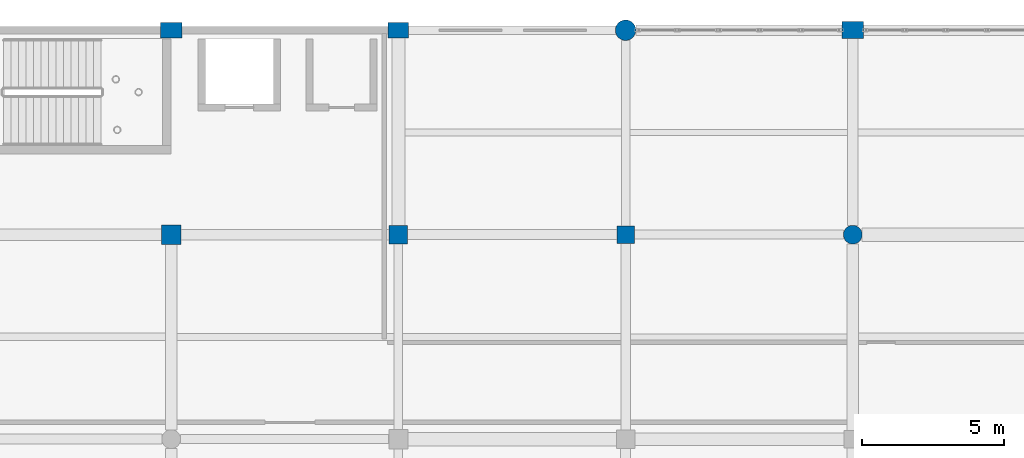
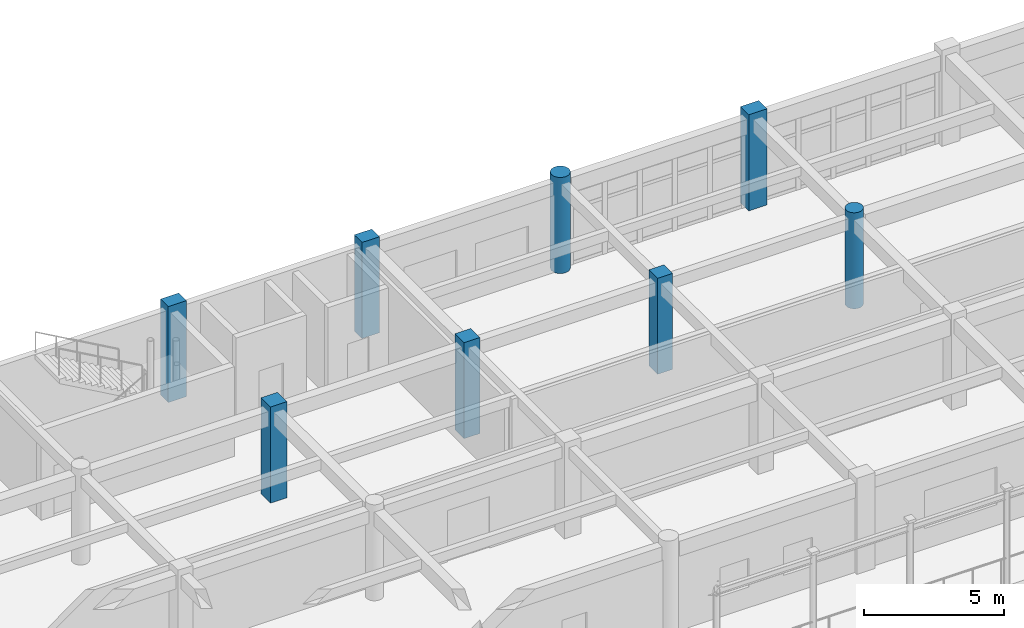
# One storey, part 19 of 195: 8 columns.
"""IFC4 building model written with IfcOpenShell, lengths in metres."""

from ifc_helpers import new_model, si_unit, direction, frame, origin, origin_2d, place, context, subcontext, project, spatial, rectangle, circle, extrude, material, material_profile, profile_set, type_object, element, save


model = new_model("IFC4")

# Units and contexts
model_context = context("Model", 3, precision=1e-05, world=origin(), true_north=direction((0.0, 1.0)))
body_context = subcontext(model_context, "Body", "Model", "MODEL_VIEW")
ifc_project = project(units=[si_unit("LENGTHUNIT", "METRE"), si_unit("AREAUNIT", "SQUARE_METRE"), si_unit("VOLUMEUNIT", "CUBIC_METRE"), si_unit("PLANEANGLEUNIT", "RADIAN"), si_unit("MASSUNIT", "GRAM", prefix="KILO")], contexts=[model_context])

# Site, building, storey
site_placement = place(None, origin())
site = spatial("IfcSite", under=ifc_project, at=site_placement, CompositionType="ELEMENT")
building_placement = place(site_placement, origin())
building = spatial("IfcBuilding", under=site, at=building_placement, Name="Kharva Crest Polytechnic", CompositionType="ELEMENT")
storey_placement = place(building_placement, frame((0.0, 0.0, 9.0)))
storey = spatial("IfcBuildingStorey", under=building, at=storey_placement, Name="L02", CompositionType="ELEMENT", Elevation=9.0)

# Columns
ifc_material = material(Name="Concrete C40/50", Category="concrete")
ifc_material_profile_1 = material_profile(ifc_material, rectangle(XDim=0.719970703125, YDim=0.550048828125, at=origin_2d()), Name="RECT 720 X 550")
ifc_profile_set_1 = profile_set([ifc_material_profile_1], Name="Concrete C40/50")
column_type_1 = type_object("IfcColumnType", Name="COL-EXT-720X550", PredefinedType="COLUMN", material=ifc_profile_set_1)
column_1_placement = place(storey_placement, frame((72.0, 122.0, 0.0), z_axis=(0.0, 0.0, 1.0), x_axis=(1.0, 0.0, 0.0)))
element("IfcColumn", 1, at=column_1_placement, inside=storey, type_object=column_type_1, Name="L02 Column 10/S", PredefinedType="COLUMN", context=body_context, shape_type="SweptSolid", body=[
    extrude(rectangle(XDim=0.719970703125, YDim=0.550048828125, at=origin_2d()), origin(), (0.0, 0.0, 1.0), 4.199951171875),
])
ifc_material_profile_2 = material_profile(ifc_material, rectangle(XDim=0.75, YDim=0.550048828125, at=origin_2d()), Name="RECT 750 X 550")
ifc_profile_set_2 = profile_set([ifc_material_profile_2], Name="Concrete C40/50")
column_type_2 = type_object("IfcColumnType", Name="COL-EXT-750X550", PredefinedType="COLUMN", material=ifc_profile_set_2)
column_2_placement = place(storey_placement, frame((64.0, 122.0, 0.0), z_axis=(0.0, 0.0, 1.0), x_axis=(1.0, 0.0, 0.0)))
element("IfcColumn", 2, at=column_2_placement, inside=storey, type_object=column_type_2, Name="L02 Column 9/S", PredefinedType="COLUMN", context=body_context, shape_type="SweptSolid", body=[
    extrude(rectangle(XDim=0.75, YDim=0.550048828125, at=origin_2d()), origin(), (0.0, 0.0, 1.0), 4.199951171875),
])
ifc_material_profile_3 = material_profile(ifc_material, rectangle(XDim=0.75, YDim=0.60009765625, at=origin_2d()), Name="RECT 750 X 600")
ifc_profile_set_3 = profile_set([ifc_material_profile_3], Name="Concrete C40/50")
column_type_3 = type_object("IfcColumnType", Name="COL-EXT-750X600", PredefinedType="COLUMN", material=ifc_profile_set_3)
column_3_placement = place(storey_placement, frame((88.0, 122.0, 0.0), z_axis=(0.0, 0.0, 1.0), x_axis=(1.0, 0.0, 0.0)))
element("IfcColumn", 3, at=column_3_placement, inside=storey, type_object=column_type_3, Name="L02 Column 12/S", PredefinedType="COLUMN", context=body_context, shape_type="SweptSolid", body=[
    extrude(rectangle(XDim=0.75, YDim=0.60009765625, at=origin_2d()), origin(), (0.0, 0.0, 1.0), 4.199951171875),
])
ifc_material_profile_4 = material_profile(ifc_material, circle(Radius=0.360107421875, at=origin_2d()), Name="DIA 720")
ifc_profile_set_4 = profile_set([ifc_material_profile_4], Name="Concrete C40/50")
column_type_4 = type_object("IfcColumnType", Name="COL-EXT-DIA720", PredefinedType="COLUMN", material=ifc_profile_set_4)
column_4_placement = place(storey_placement, frame((80.0, 122.0, 0.0), z_axis=(0.0, 0.0, 1.0), x_axis=(1.0, 0.0, 0.0)))
element("IfcColumn", 4, at=column_4_placement, inside=storey, type_object=column_type_4, Name="L02 Column 11/S", PredefinedType="COLUMN", context=body_context, shape_type="SweptSolid", body=[
    extrude(circle(Radius=0.360107421875, at=origin_2d()), origin(), (0.0, 0.0, 1.0), 4.199951171875),
])
ifc_material_profile_5 = material_profile(ifc_material, rectangle(XDim=0.6201171875, YDim=0.6201171875, at=origin_2d()), Name="RECT 620 X 620")
ifc_profile_set_5 = profile_set([ifc_material_profile_5], Name="Concrete C40/50")
column_type_5 = type_object("IfcColumnType", Name="COL-INT-620X620", PredefinedType="COLUMN", material=ifc_profile_set_5)
column_5_placement = place(storey_placement, frame((80.0, 114.800048828125, 0.0), z_axis=(0.0, 0.0, 1.0), x_axis=(1.0, 0.0, 0.0)))
element("IfcColumn", 5, at=column_5_placement, inside=storey, type_object=column_type_5, Name="L02 Column 11/R", PredefinedType="COLUMN", context=body_context, shape_type="SweptSolid", body=[
    extrude(rectangle(XDim=0.6201171875, YDim=0.6201171875, at=origin_2d()), origin(), (0.0, 0.0, 1.0), 4.199951171875),
])
ifc_material_profile_6 = material_profile(ifc_material, rectangle(XDim=0.64990234375, YDim=0.64990234375, at=origin_2d()), Name="RECT 650 X 650")
ifc_profile_set_6 = profile_set([ifc_material_profile_6], Name="Concrete C40/50")
column_type_6 = type_object("IfcColumnType", Name="COL-INT-650X650", PredefinedType="COLUMN", material=ifc_profile_set_6)
column_6_placement = place(storey_placement, frame((72.0, 114.800048828125, 0.0), z_axis=(0.0, 0.0, 1.0), x_axis=(1.0, 0.0, 0.0)))
element("IfcColumn", 6, at=column_6_placement, inside=storey, type_object=column_type_6, Name="L02 Column 10/R", PredefinedType="COLUMN", context=body_context, shape_type="SweptSolid", body=[
    extrude(rectangle(XDim=0.64990234375, YDim=0.64990234375, at=origin_2d()), origin(), (0.0, 0.0, 1.0), 4.199951171875),
])
ifc_material_profile_7 = material_profile(ifc_material, rectangle(XDim=0.679931640625, YDim=0.679931640625, at=origin_2d()), Name="RECT 680 X 680")
ifc_profile_set_7 = profile_set([ifc_material_profile_7], Name="Concrete C40/50")
column_type_7 = type_object("IfcColumnType", Name="COL-INT-680X680", PredefinedType="COLUMN", material=ifc_profile_set_7)
column_7_placement = place(storey_placement, frame((64.0, 114.800048828125, 0.0), z_axis=(0.0, 0.0, 1.0), x_axis=(1.0, 0.0, 0.0)))
element("IfcColumn", 7, at=column_7_placement, inside=storey, type_object=column_type_7, Name="L02 Column 9/R", PredefinedType="COLUMN", context=body_context, shape_type="SweptSolid", body=[
    extrude(rectangle(XDim=0.679931640625, YDim=0.679931640625, at=origin_2d()), origin(), (0.0, 0.0, 1.0), 4.199951171875),
])
ifc_material_profile_8 = material_profile(ifc_material, circle(Radius=0.330078125, at=origin_2d()), Name="DIA 660")
ifc_profile_set_8 = profile_set([ifc_material_profile_8], Name="Concrete C40/50")
column_type_8 = type_object("IfcColumnType", Name="COL-INT-DIA660", PredefinedType="COLUMN", material=ifc_profile_set_8)
column_8_placement = place(storey_placement, frame((88.0, 114.800048828125, 0.0), z_axis=(0.0, 0.0, 1.0), x_axis=(1.0, 0.0, 0.0)))
element("IfcColumn", 8, at=column_8_placement, inside=storey, type_object=column_type_8, Name="L02 Column 12/R", PredefinedType="COLUMN", context=body_context, shape_type="SweptSolid", body=[
    extrude(circle(Radius=0.330078125, at=origin_2d()), origin(), (0.0, 0.0, 1.0), 4.199951171875),
])

save(model, "model.ifc")
